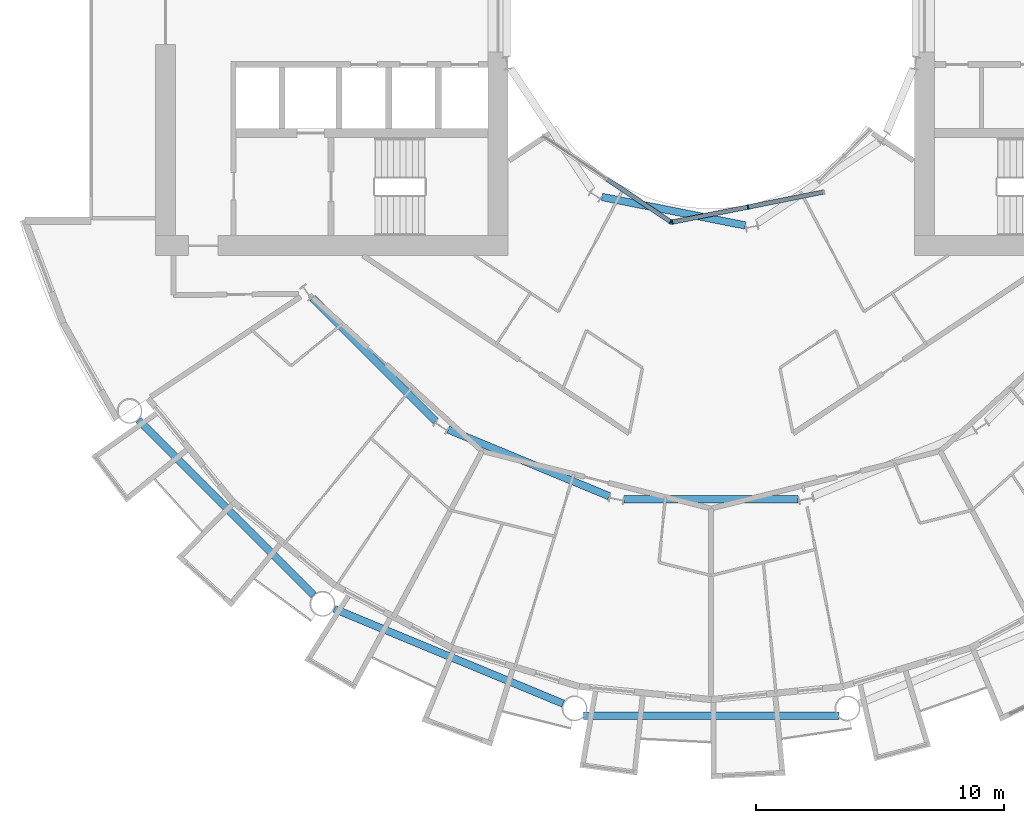
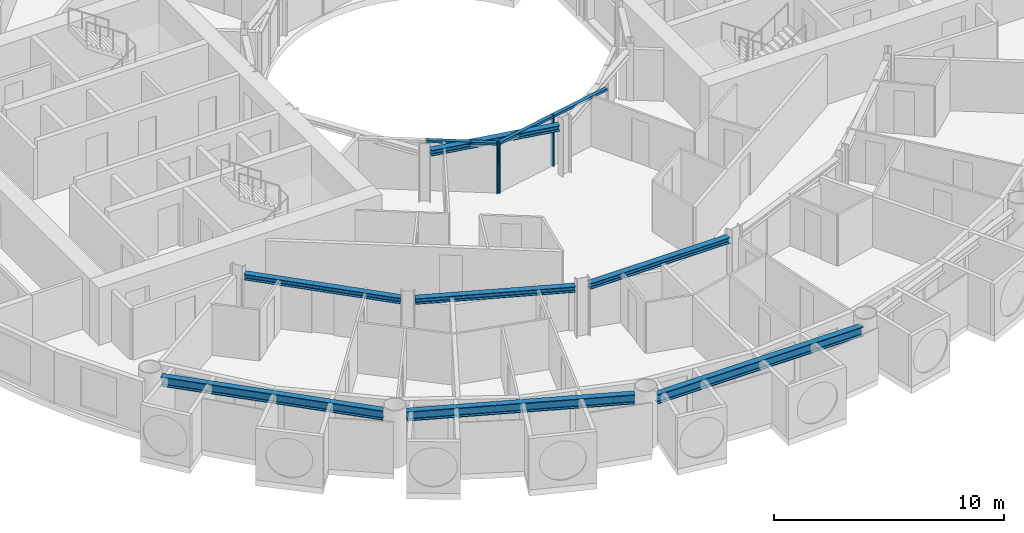
# One storey, part 4 of 26: 7 beams, 6 members, 2 elements without a shape of their own.
"""IFC4 building model written with IfcOpenShell, lengths in metres."""

from ifc_helpers import new_model, si_unit, direction, frame, origin, origin_2d, place, context, subcontext, project, spatial, rectangle, i_section, extrude, material, layer, layer_set, material_profile, profile_set, type_object, element, aggregate, save


model = new_model("IFC4")

# Units and contexts
model_context = context("Model", 3, precision=1e-05, world=origin(), true_north=direction((0.0, 1.0)))
body_context = subcontext(model_context, "Body", "Model", "MODEL_VIEW")
ifc_project = project(units=[si_unit("LENGTHUNIT", "METRE"), si_unit("AREAUNIT", "SQUARE_METRE"), si_unit("VOLUMEUNIT", "CUBIC_METRE"), si_unit("PLANEANGLEUNIT", "RADIAN"), si_unit("MASSUNIT", "GRAM", prefix="KILO")], contexts=[model_context])

# Site, building, storey
site_placement = place(None, origin())
site = spatial("IfcSite", under=ifc_project, at=site_placement, CompositionType="ELEMENT")
building_placement = place(site_placement, origin())
building = spatial("IfcBuilding", under=site, at=building_placement, Name="Maasbend Ring Residences", CompositionType="ELEMENT")
storey_placement = place(building_placement, frame((0.0, 0.0, 28.89990234375)))
storey = spatial("IfcBuildingStorey", under=building, at=storey_placement, Name="L07", CompositionType="ELEMENT", Elevation=28.89990234375)

# Curtain wall, member
ifc_material_1 = material(Name="Aluminium and clear glass", Category="aluminium")
ifc_layer = layer(ifc_material_1, 0.179931640625)
ifc_layer_set = layer_set([ifc_layer], Name="CW-W")
curtain_wall_type = type_object("IfcCurtainWallType", Name="CW-W", PredefinedType="NOTDEFINED", material=ifc_layer_set)
curtain_wall_1_placement = place(storey_placement, origin())
curtain_wall_1 = element("IfcCurtainWall", 1, at=curtain_wall_1_placement, inside=storey, type_object=curtain_wall_type, Name="Well curtain wall S1", PredefinedType="NOTDEFINED")
ifc_material_2 = material(Name="Aluminium 6063-T6", Category="aluminium")
ifc_material_profile_1 = material_profile(ifc_material_2, rectangle(XDim=0.179931640625, YDim=0.06005859375, at=origin_2d()), Name="AL 180x60")
ifc_profile_set_1 = profile_set([ifc_material_profile_1], Name="Aluminium 6063-T6")
member_type_1 = type_object("IfcMemberType", Name="CWM-W", PredefinedType="MULLION", material=ifc_profile_set_1)
member_1_placement = place(storey_placement, frame((-1.627685546875, -8.040771484375, 0.0), z_axis=(0.0, 0.0, 1.0), x_axis=(0.55557023302, 0.831469612303, 0.0)))
member_1 = element("IfcMember", 2, at=member_1_placement, type_object=member_type_1, Name="Mullion well face", PredefinedType="MULLION", context=body_context, shape_type="SweptSolid", body=[
    extrude(rectangle(XDim=0.179931640625, YDim=0.06005859375, at=origin_2d()), origin(), (0.0, 0.0, 1.0), 2.7001953125),
])

# Curtain wall, members
curtain_wall_2_placement = place(storey_placement, origin())
curtain_wall_2 = element("IfcCurtainWall", 3, at=curtain_wall_2_placement, inside=storey, type_object=curtain_wall_type, Name="Well curtain wall S2", PredefinedType="NOTDEFINED")
member_2_placement = place(storey_placement, frame((-1.5732421875, -8.0517578125, 0.0), z_axis=(0.0, 0.0, 1.0), x_axis=(-0.195090322016, 0.980785280403, 0.0)))
member_2 = element("IfcMember", 4, at=member_2_placement, type_object=member_type_1, Name="Mullion well face", PredefinedType="MULLION", context=body_context, shape_type="SweptSolid", body=[
    extrude(rectangle(XDim=0.179931640625, YDim=0.06005859375, at=origin_2d()), origin(), (0.0, 0.0, 1.0), 2.7001953125),
])
member_3_placement = place(storey_placement, frame((1.480712890625, -7.444091796875, 0.0), z_axis=(0.0, 0.0, 1.0), x_axis=(-0.195090322016, 0.980785280403, 0.0)))
member_3 = element("IfcMember", 5, at=member_3_placement, type_object=member_type_1, Name="Mullion well face", PredefinedType="MULLION", context=body_context, shape_type="SweptSolid", body=[
    extrude(rectangle(XDim=0.179931640625, YDim=0.06005859375, at=origin_2d()), origin(), (0.0, 0.0, 1.0), 2.7001953125),
])

# Member
ifc_material_3 = material(Name="Aluminium 6063-T6", Category="aluminium")
ifc_material_profile_2 = material_profile(ifc_material_3, rectangle(XDim=0.179931640625, YDim=0.1201171875, at=origin_2d()), Name="AL 180x120")
ifc_profile_set_2 = profile_set([ifc_material_profile_2], Name="Aluminium 6063-T6")
member_type_2 = type_object("IfcMemberType", Name="CWT-W", PredefinedType="USERDEFINED", material=ifc_profile_set_2)
member_4_placement = place(storey_placement, frame((-4.19189453125, -6.32763671875, 2.64013671875), z_axis=(0.831496422459, -0.555530106689, 0.0), x_axis=(0.555530106689, 0.831496422459, 0.0)))
member_4 = element("IfcMember", 6, at=member_4_placement, type_object=member_type_2, Name="Transom well face", ObjectType="TRANSOM", PredefinedType="USERDEFINED", context=body_context, shape_type="SweptSolid", body=[
    extrude(rectangle(XDim=0.179931640625, YDim=0.1201171875, at=origin_2d()), origin(), (0.0, 0.0, 1.0), 3.053955078125),
])

aggregate(curtain_wall_1, [member_1, member_4])

member_5_placement = place(storey_placement, frame((-1.5439453125, -8.0458984375, 2.64013671875), z_axis=(0.980776956105, 0.195132166424, 0.0), x_axis=(-0.195132166424, 0.980776956105, 0.0)))
member_5 = element("IfcMember", 7, at=member_5_placement, type_object=member_type_2, Name="Transom well face", ObjectType="TRANSOM", PredefinedType="USERDEFINED", context=body_context, shape_type="SweptSolid", body=[
    extrude(rectangle(XDim=0.179931640625, YDim=0.1201171875, at=origin_2d()), origin(), (0.0, 0.0, 1.0), 3.053955078125),
])

member_6_placement = place(storey_placement, frame((1.51025390625, -7.438232421875, 2.64013671875), z_axis=(0.980789210404, 0.19507056353, 0.0), x_axis=(-0.19507056353, 0.980789210404, 0.0)))
member_6 = element("IfcMember", 8, at=member_6_placement, type_object=member_type_2, Name="Transom well face", ObjectType="TRANSOM", PredefinedType="USERDEFINED", context=body_context, shape_type="SweptSolid", body=[
    extrude(rectangle(XDim=0.179931640625, YDim=0.1201171875, at=origin_2d()), origin(), (0.0, 0.0, 1.0), 3.0537109375),
])

aggregate(curtain_wall_2, [member_2, member_3, member_5, member_6])

# Beams
ifc_material_4 = material(Name="Steel S355J2", Category="steel")
ifc_material_profile_3 = material_profile(ifc_material_4, i_section(OverallWidth=0.300048828125, OverallDepth=0.300048828125, WebThickness=0.010986328125, FlangeThickness=0.01904296875, FilletRadius=0.027099609375, at=origin_2d()), Name="HEB 300")
ifc_profile_set_3 = profile_set([ifc_material_profile_3], Name="Steel S355J2")
beam_type_1 = type_object("IfcBeamType", Name="Corridor ring beam HEB 300", PredefinedType="BEAM", material=ifc_profile_set_3)
beam_1_placement = place(storey_placement, frame((-16.0732421875, -11.11279296875, 2.550048828125), z_axis=(0.707106781187, -0.707106781187, 0.0), x_axis=(0.707106781187, 0.707106781187, 0.0)))
element("IfcBeam", 9, at=beam_1_placement, inside=storey, type_object=beam_type_1, Name="Corridor ring beam", PredefinedType="BEAM", context=body_context, shape_type="SweptSolid", body=[
    extrude(i_section(OverallWidth=0.300048828125, OverallDepth=0.300048828125, WebThickness=0.010986328125, FlangeThickness=0.01904296875, FilletRadius=0.027099609375, at=origin_2d()), origin(), (0.0, 0.0, 1.0), 7.01513671875),
])
beam_2_placement = place(storey_placement, frame((-10.59716796875, -16.417724609375, 2.550048828125), z_axis=(0.923886196809, -0.38266734293, 0.0), x_axis=(0.38266734293, 0.923886196809, 0.0)))
element("IfcBeam", 10, at=beam_2_placement, inside=storey, type_object=beam_type_1, Name="Corridor ring beam", PredefinedType="BEAM", context=body_context, shape_type="SweptSolid", body=[
    extrude(i_section(OverallWidth=0.300048828125, OverallDepth=0.300048828125, WebThickness=0.010986328125, FlangeThickness=0.01904296875, FilletRadius=0.027099609375, at=origin_2d()), origin(), (0.0, 0.0, 1.0), 7.015380859375),
])
beam_3_placement = place(storey_placement, frame((-3.5078125, -19.223388671875, 2.550048828125), z_axis=(1.0, 0.0, 0.0), x_axis=(0.0, 1.0, 0.0)))
element("IfcBeam", 11, at=beam_3_placement, inside=storey, type_object=beam_type_1, Name="Corridor ring beam", PredefinedType="BEAM", context=body_context, shape_type="SweptSolid", body=[
    extrude(i_section(OverallWidth=0.300048828125, OverallDepth=0.300048828125, WebThickness=0.010986328125, FlangeThickness=0.01904296875, FilletRadius=0.027099609375, at=origin_2d()), origin(), (0.0, 0.0, 1.0), 7.015625),
])
ifc_material_5 = material(Name="Steel S355J2", Category="steel")
ifc_material_profile_4 = material_profile(ifc_material_5, i_section(OverallWidth=0.300048828125, OverallDepth=0.5, WebThickness=0.014404296875, FlangeThickness=0.028076171875, FilletRadius=0.027099609375, at=origin_2d()), Name="HEB 500")
ifc_profile_set_4 = profile_set([ifc_material_profile_4], Name="Steel S355J2")
beam_type_2 = type_object("IfcBeamType", Name="Spandrel ring beam HEB 500", PredefinedType="SPANDREL", material=ifc_profile_set_4)
beam_4_placement = place(storey_placement, frame((-23.088134765625, -16.0263671875, 2.4501953125), z_axis=(0.707106781187, -0.707106781187, 0.0), x_axis=(0.707106781187, 0.707106781187, 0.0)))
element("IfcBeam", 12, at=beam_4_placement, inside=storey, type_object=beam_type_2, Name="Spandrel ring beam", PredefinedType="SPANDREL", context=body_context, shape_type="SweptSolid", body=[
    extrude(i_section(OverallWidth=0.300048828125, OverallDepth=0.5, WebThickness=0.014404296875, FlangeThickness=0.028076171875, FilletRadius=0.027099609375, at=origin_2d()), origin(), (0.0, 0.0, 1.0), 9.98681640625),
])
beam_5_placement = place(storey_placement, frame((-15.19775390625, -23.641845703125, 2.4501953125), z_axis=(0.923886337442, -0.382667003395, 0.0), x_axis=(0.382667003395, 0.923886337442, 0.0)))
element("IfcBeam", 13, at=beam_5_placement, inside=storey, type_object=beam_type_2, Name="Spandrel ring beam", PredefinedType="SPANDREL", context=body_context, shape_type="SweptSolid", body=[
    extrude(i_section(OverallWidth=0.300048828125, OverallDepth=0.5, WebThickness=0.014404296875, FlangeThickness=0.028076171875, FilletRadius=0.027099609375, at=origin_2d()), origin(), (0.0, 0.0, 1.0), 9.9873046875),
])
beam_6_placement = place(storey_placement, frame((-5.1435546875, -27.9580078125, 2.4501953125), z_axis=(1.0, 0.0, 0.0), x_axis=(0.0, 1.0, 0.0)))
element("IfcBeam", 14, at=beam_6_placement, inside=storey, type_object=beam_type_2, Name="Spandrel ring beam", PredefinedType="SPANDREL", context=body_context, shape_type="SweptSolid", body=[
    extrude(i_section(OverallWidth=0.300048828125, OverallDepth=0.5, WebThickness=0.014404296875, FlangeThickness=0.028076171875, FilletRadius=0.027099609375, at=origin_2d()), origin(), (0.0, 0.0, 1.0), 10.287109375),
])
ifc_material_6 = material(Name="Steel S355J2", Category="steel")
ifc_material_profile_5 = material_profile(ifc_material_6, i_section(OverallWidth=0.300048828125, OverallDepth=0.300048828125, WebThickness=0.010986328125, FlangeThickness=0.01904296875, FilletRadius=0.027099609375, at=origin_2d()), Name="HEB 300")
ifc_profile_set_5 = profile_set([ifc_material_profile_5], Name="Steel S355J2")
beam_type_3 = type_object("IfcBeamType", Name="Well edge beam HEB 300", PredefinedType="BEAM", material=ifc_profile_set_5)
beam_7_placement = place(storey_placement, frame((-4.4013671875, -7.037109375, 2.550048828125), z_axis=(0.980784282486, -0.195095338819, 0.0), x_axis=(0.195095338819, 0.980784282486, 0.0)))
element("IfcBeam", 15, at=beam_7_placement, inside=storey, type_object=beam_type_3, Name="Well edge beam", PredefinedType="BEAM", context=body_context, shape_type="SweptSolid", body=[
    extrude(i_section(OverallWidth=0.300048828125, OverallDepth=0.300048828125, WebThickness=0.010986328125, FlangeThickness=0.01904296875, FilletRadius=0.027099609375, at=origin_2d()), origin(), (0.0, 0.0, 1.0), 5.8876953125),
])

save(model, "model.ifc")
